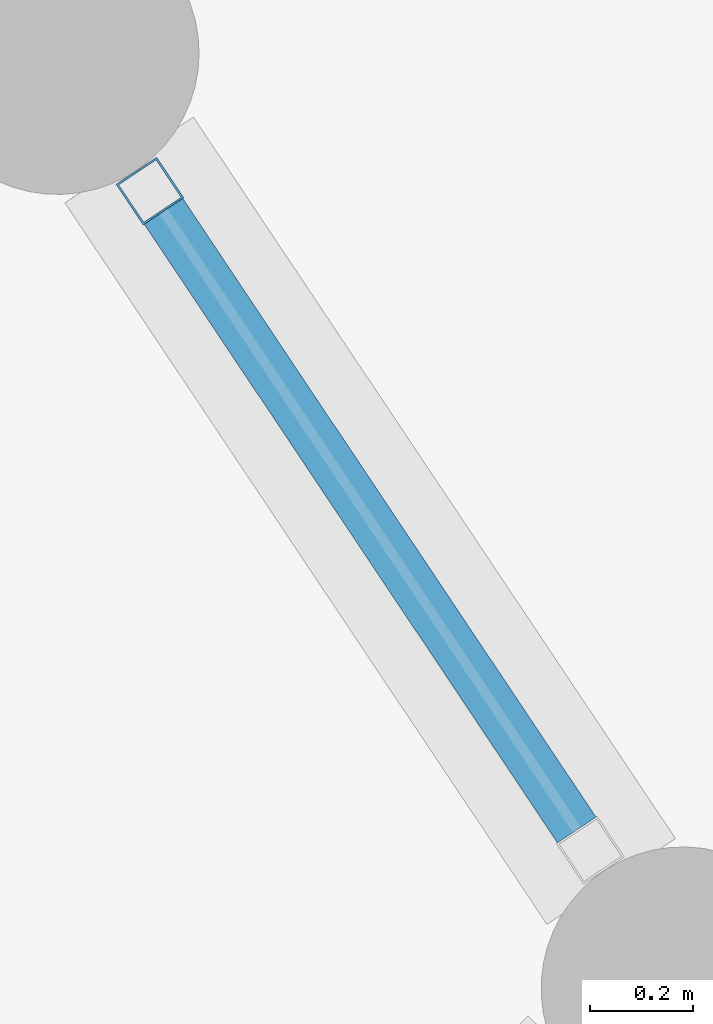
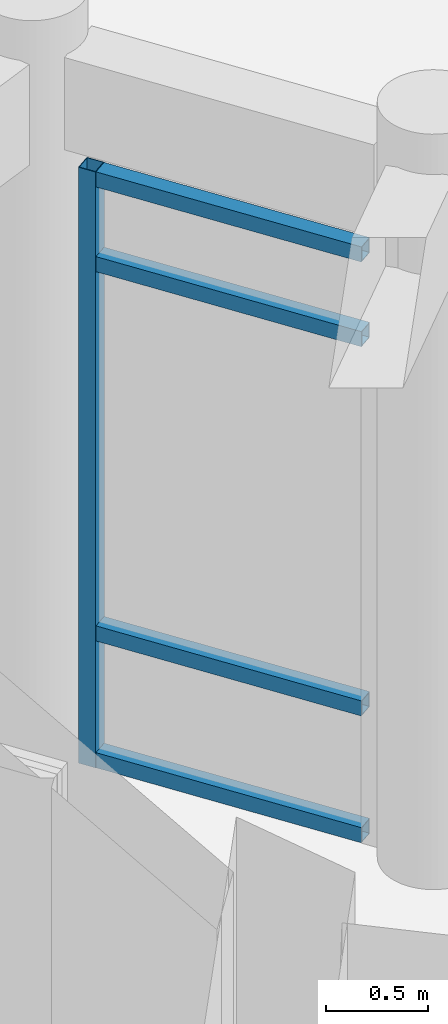
# One storey, part 16 of 153: 5 members, 1 element without a shape of its own.
"""IFC4 building model written with IfcOpenShell, lengths in metres."""

from ifc_helpers import new_model, si_unit, direction, frame, origin, origin_2d, place, context, subcontext, project, spatial, hollow_rectangle, extrude, material, material_profile, profile_set, type_object, element, aggregate, save


model = new_model("IFC4")

# Units and contexts
model_context = context("Model", 3, precision=1e-05, world=origin(), true_north=direction((0.0, 1.0)))
body_context = subcontext(model_context, "Body", "Model", "MODEL_VIEW")
ifc_project = project(units=[si_unit("LENGTHUNIT", "METRE"), si_unit("AREAUNIT", "SQUARE_METRE"), si_unit("VOLUMEUNIT", "CUBIC_METRE"), si_unit("PLANEANGLEUNIT", "RADIAN"), si_unit("MASSUNIT", "GRAM", prefix="KILO")], contexts=[model_context])

# Site, building, storey
site_placement = place(None, origin())
site = spatial("IfcSite", under=ifc_project, at=site_placement, CompositionType="ELEMENT")
building_placement = place(site_placement, origin())
building = spatial("IfcBuilding", under=site, at=building_placement, Name="Celadon Cloister-Ring School", CompositionType="ELEMENT")
storey_placement = place(building_placement, origin())
storey = spatial("IfcBuildingStorey", under=building, at=storey_placement, Name="L00", CompositionType="ELEMENT", Elevation=0.0)

# Curtain wall, members
ifc_material_1 = material(Name="Aluminium EN AW-6063 T6", Category="aluminium")
curtain_wall_type = type_object("IfcCurtainWallType", Name="CW-03", PredefinedType="USERDEFINED", material=ifc_material_1)
curtain_wall_placement = place(storey_placement, origin())
curtain_wall = element("IfcCurtainWall", 1, at=curtain_wall_placement, inside=storey, type_object=curtain_wall_type, Name="Curtain Wall 0134", ObjectType="CURTAIN WALL", PredefinedType="USERDEFINED")
ifc_material_2 = material(Name="Aluminium EN AW-6063 T6", Category="aluminium")
ifc_material_profile_1 = material_profile(ifc_material_2, hollow_rectangle(XDim=0.094970703125, YDim=0.094970703125, WallThickness=0.00390625, at=origin_2d()), Name="RHS95X95X4")
ifc_profile_set_1 = profile_set([ifc_material_profile_1], Name="Aluminium EN AW-6063 T6")
member_type_1 = type_object("IfcMemberType", Name="CM-02", PredefinedType="MULLION", material=ifc_profile_set_1)
member_1_placement = place(storey_placement, frame((15.205322265625, 17.588623046875, 0.0), z_axis=(0.0, 0.0, 1.0), x_axis=(0.831485091394, 0.555547066224, 0.0)))
member_1 = element("IfcMember", 2, at=member_1_placement, type_object=member_type_1, Name="CW-03 mullion 1", PredefinedType="MULLION", context=body_context, shape_type="SweptSolid", body=[
    extrude(hollow_rectangle(XDim=0.094970703125, YDim=0.094970703125, WallThickness=0.00390625, at=origin_2d()), origin(), (0.0, 0.0, 1.0), 3.550048828125),
])
ifc_material_3 = material(Name="Aluminium EN AW-6063 T6", Category="aluminium")
ifc_material_profile_2 = material_profile(ifc_material_3, hollow_rectangle(XDim=0.090087890625, YDim=0.090087890625, WallThickness=0.00390625, at=origin_2d()), Name="RHS90X90X4")
ifc_profile_set_2 = profile_set([ifc_material_profile_2], Name="Aluminium EN AW-6063 T6")
member_type_2 = type_object("IfcMemberType", Name="CTM-02", PredefinedType="USERDEFINED", material=ifc_profile_set_2)
member_2_placement = place(storey_placement, frame((15.231689453125, 17.549072265625, 0.044921875), z_axis=(0.555518951009, -0.831503875559, 0.0), x_axis=(0.831503875559, 0.555518951009, 0.0)))
member_2 = element("IfcMember", 3, at=member_2_placement, type_object=member_type_2, Name="CW-03 transom 1.1", ObjectType="TRANSOM", PredefinedType="USERDEFINED", context=body_context, shape_type="SweptSolid", body=[
    extrude(hollow_rectangle(XDim=0.090087890625, YDim=0.090087890625, WallThickness=0.00390625, at=origin_2d()), origin(), (0.0, 0.0, 1.0), 1.444580078125),
])
member_3_placement = place(storey_placement, frame((15.231689453125, 17.549072265625, 0.800048828125), z_axis=(0.555518951009, -0.831503875559, 0.0), x_axis=(0.831503875559, 0.555518951009, 0.0)))
member_3 = element("IfcMember", 4, at=member_3_placement, type_object=member_type_2, Name="CW-03 transom 1.2", ObjectType="TRANSOM", PredefinedType="USERDEFINED", context=body_context, shape_type="SweptSolid", body=[
    extrude(hollow_rectangle(XDim=0.090087890625, YDim=0.090087890625, WallThickness=0.00390625, at=origin_2d()), origin(), (0.0, 0.0, 1.0), 1.444580078125),
])
member_4_placement = place(storey_placement, frame((15.231689453125, 17.549072265625, 3.0), z_axis=(0.555518951009, -0.831503875559, 0.0), x_axis=(0.831503875559, 0.555518951009, 0.0)))
member_4 = element("IfcMember", 5, at=member_4_placement, type_object=member_type_2, Name="CW-03 transom 1.3", ObjectType="TRANSOM", PredefinedType="USERDEFINED", context=body_context, shape_type="SweptSolid", body=[
    extrude(hollow_rectangle(XDim=0.090087890625, YDim=0.090087890625, WallThickness=0.00390625, at=origin_2d()), origin(), (0.0, 0.0, 1.0), 1.444580078125),
])
member_5_placement = place(storey_placement, frame((15.231689453125, 17.549072265625, 3.5048828125), z_axis=(0.555518951009, -0.831503875559, 0.0), x_axis=(0.831503875559, 0.555518951009, 0.0)))
member_5 = element("IfcMember", 6, at=member_5_placement, type_object=member_type_2, Name="CW-03 transom 1.4", ObjectType="TRANSOM", PredefinedType="USERDEFINED", context=body_context, shape_type="SweptSolid", body=[
    extrude(hollow_rectangle(XDim=0.090087890625, YDim=0.090087890625, WallThickness=0.00390625, at=origin_2d()), origin(), (0.0, 0.0, 1.0), 1.444580078125),
])
aggregate(curtain_wall, [member_1, member_2, member_3, member_4, member_5])

save(model, "model.ifc")
